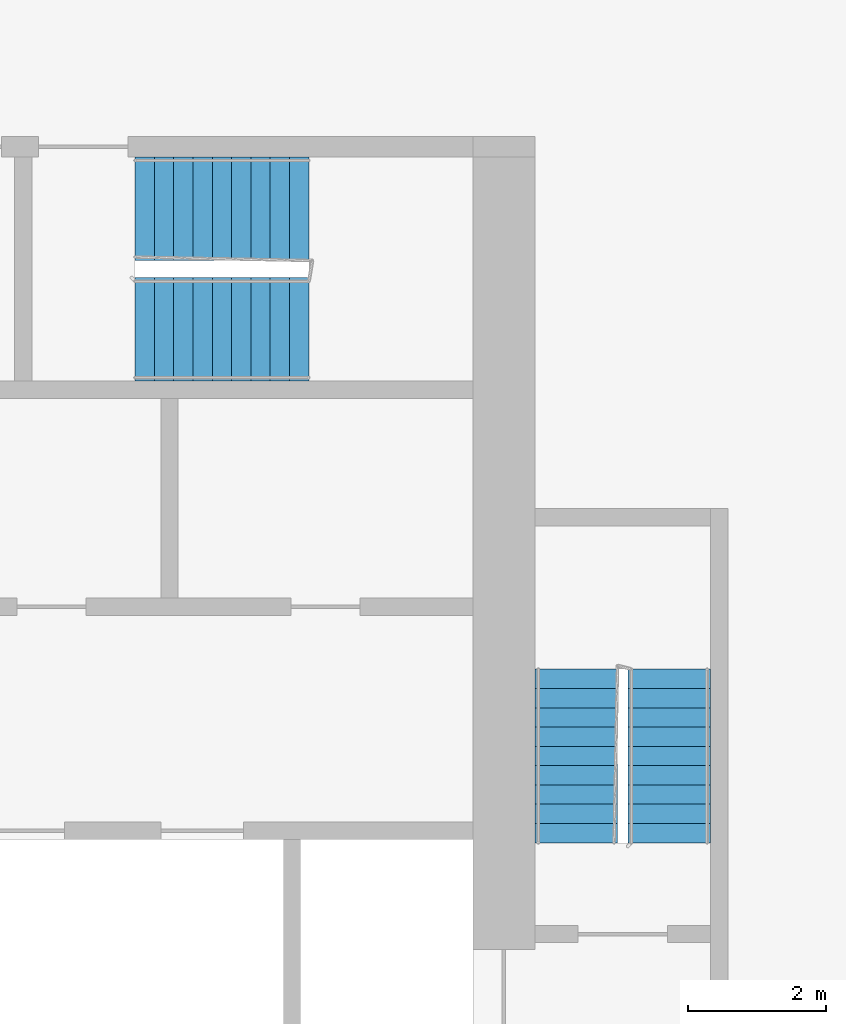
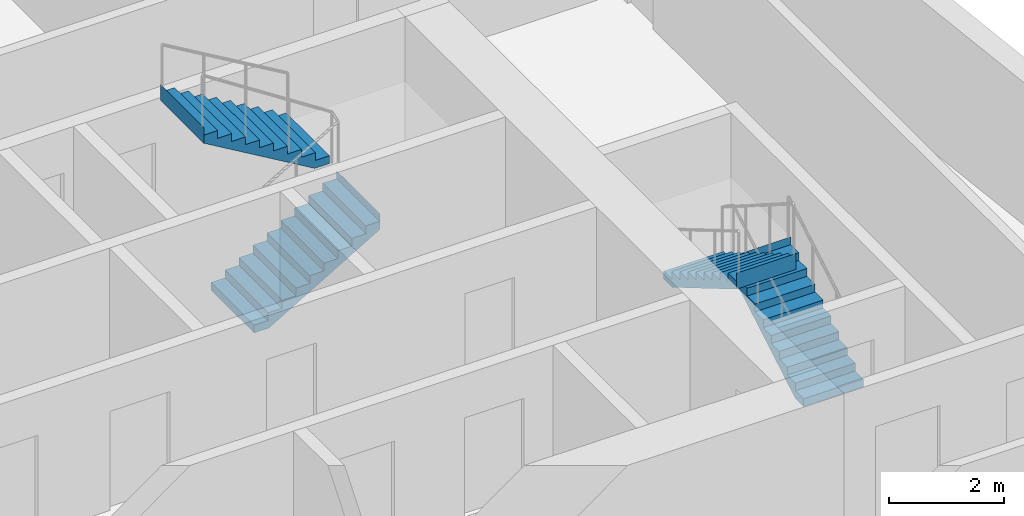
# One storey, part 11 of 12: 4 stair flights, 2 elements without a shape of their own.
"""IFC4 building model written with IfcOpenShell, lengths in metres."""

from ifc_helpers import new_model, si_unit, direction, frame, origin, place, context, subcontext, project, spatial, faceted_brep, material, type_object, element, aggregate, save


model = new_model("IFC4")

# Units and contexts
model_context = context("Model", 3, precision=1e-05, world=origin(), true_north=direction((0.0, 1.0)))
body_context = subcontext(model_context, "Body", "Model", "MODEL_VIEW")
ifc_project = project(units=[si_unit("LENGTHUNIT", "METRE"), si_unit("AREAUNIT", "SQUARE_METRE"), si_unit("VOLUMEUNIT", "CUBIC_METRE"), si_unit("PLANEANGLEUNIT", "RADIAN"), si_unit("MASSUNIT", "GRAM", prefix="KILO")], contexts=[model_context])

# Site, building, storey
site_placement = place(None, origin())
site = spatial("IfcSite", under=ifc_project, at=site_placement, CompositionType="ELEMENT")
building_placement = place(site_placement, origin())
building = spatial("IfcBuilding", under=site, at=building_placement, Name="Kajstack Hotel Tower", CompositionType="ELEMENT")
storey_placement = place(building_placement, frame((0.0, 0.0, 170.199951171875)))
storey = spatial("IfcBuildingStorey", under=building, at=storey_placement, Name="L39", CompositionType="ELEMENT", Elevation=170.199951171875)

# Stair, stair flights
ifc_material = material(Name="Concrete C40/50", Category="concrete")
stair_type_1 = type_object("IfcStairType", Name="Exit stair 1200", PredefinedType="HALF_TURN_STAIR", material=ifc_material)
stair_1_placement = place(storey_placement, origin())
stair_1 = element("IfcStair", 1, at=stair_1_placement, inside=storey, type_object=stair_type_1, Name="L39 stair E1", PredefinedType="HALF_TURN_STAIR")
stair_flight_type_1 = type_object("IfcStairFlightType", Name="Exit stair flight 1200", PredefinedType="STRAIGHT", material=ifc_material)
stair_flight_1_placement = place(storey_placement, frame((33.449951171875, 5.25, 0.0), z_axis=(0.0, 0.0, 1.0), x_axis=(0.0, 1.0, 0.0)))
stair_flight_1 = element("IfcStairFlight", 2, at=stair_flight_1_placement, type_object=stair_flight_type_1, Name="E1 flight 1", NumberOfRisers=10, NumberOfTreads=9, PredefinedType="STRAIGHT", RiserHeight=0.165, TreadLength=0.28, context=body_context, shape_type="Brep", body=[
    faceted_brep([(0.295654296875, -0.60009765625, 0.0), (2.5205078125, -0.60009765625, 1.31103515625), (2.5205078125, -0.60009765625, 1.64990234375), (2.52001953125, -0.60009765625, 1.64990234375), (2.52001953125, -0.60009765625, 1.485107421875), (2.239990234375, -0.60009765625, 1.485107421875), (2.239990234375, -0.60009765625, 1.320068359375), (1.9599609375, -0.60009765625, 1.320068359375), (1.9599609375, -0.60009765625, 1.155029296875), (1.679931640625, -0.60009765625, 1.155029296875), (1.679931640625, -0.60009765625, 0.989990234375), (1.39990234375, -0.60009765625, 0.989990234375), (1.39990234375, -0.60009765625, 0.824951171875), (1.1201171875, -0.60009765625, 0.824951171875), (1.1201171875, -0.60009765625, 0.659912109375), (0.840087890625, -0.60009765625, 0.659912109375), (0.840087890625, -0.60009765625, 0.4951171875), (0.56005859375, -0.60009765625, 0.4951171875), (0.56005859375, -0.60009765625, 0.330078125), (0.280029296875, -0.60009765625, 0.330078125), (0.280029296875, -0.60009765625, 0.1650390625), (-0.00048828125, -0.60009765625, 0.1650390625), (-0.00048828125, -0.60009765625, 0.0), (-0.00048828125, 0.60009765625, 0.0), (-0.00048828125, 0.60009765625, 0.1650390625), (0.280029296875, 0.60009765625, 0.1650390625), (0.280029296875, 0.60009765625, 0.330078125), (0.56005859375, 0.60009765625, 0.330078125), (0.56005859375, 0.60009765625, 0.4951171875), (0.840087890625, 0.60009765625, 0.4951171875), (0.840087890625, 0.60009765625, 0.659912109375), (1.1201171875, 0.60009765625, 0.659912109375), (1.1201171875, 0.60009765625, 0.824951171875), (1.39990234375, 0.60009765625, 0.824951171875), (1.39990234375, 0.60009765625, 0.989990234375), (1.679931640625, 0.60009765625, 0.989990234375), (1.679931640625, 0.60009765625, 1.155029296875), (1.9599609375, 0.60009765625, 1.155029296875), (1.9599609375, 0.60009765625, 1.320068359375), (2.239990234375, 0.60009765625, 1.320068359375), (2.239990234375, 0.60009765625, 1.485107421875), (2.52001953125, 0.60009765625, 1.485107421875), (2.52001953125, 0.60009765625, 1.64990234375), (2.5205078125, 0.60009765625, 1.64990234375), (2.5205078125, 0.60009765625, 1.31103515625), (0.295654296875, 0.60009765625, 0.0), (-0.00048828125, -0.300048828125, 0.1650390625), (-0.00048828125, 0.0, 0.1650390625), (-0.00048828125, 0.300048828125, 0.1650390625), (-0.00048828125, 0.300048828125, 0.0), (-0.00048828125, 0.0, 0.0), (-0.00048828125, -0.300048828125, 0.0), (0.280029296875, -0.300048828125, 0.1650390625), (0.280029296875, 0.0, 0.1650390625), (0.280029296875, 0.300048828125, 0.1650390625), (0.280029296875, -0.300048828125, 0.330078125), (0.280029296875, 0.0, 0.330078125), (0.280029296875, 0.300048828125, 0.330078125), (0.56005859375, -0.300048828125, 0.330078125), (0.56005859375, 0.0, 0.330078125), (0.56005859375, 0.300048828125, 0.330078125), (0.56005859375, -0.300048828125, 0.4951171875), (0.56005859375, 0.0, 0.4951171875), (0.56005859375, 0.300048828125, 0.4951171875), (0.840087890625, -0.300048828125, 0.4951171875), (0.840087890625, 0.0, 0.4951171875), (0.840087890625, 0.300048828125, 0.4951171875), (0.840087890625, -0.300048828125, 0.659912109375), (0.840087890625, 0.0, 0.659912109375), (0.840087890625, 0.300048828125, 0.659912109375), (1.1201171875, -0.300048828125, 0.659912109375), (1.1201171875, 0.0, 0.659912109375), (1.1201171875, 0.300048828125, 0.659912109375), (1.1201171875, -0.300048828125, 0.824951171875), (1.1201171875, 0.0, 0.824951171875), (1.1201171875, 0.300048828125, 0.824951171875), (1.39990234375, -0.300048828125, 0.824951171875), (1.39990234375, 0.0, 0.824951171875), (1.39990234375, 0.300048828125, 0.824951171875), (1.39990234375, -0.300048828125, 0.989990234375), (1.39990234375, 0.0, 0.989990234375), (1.39990234375, 0.300048828125, 0.989990234375), (1.679931640625, -0.300048828125, 0.989990234375), (1.679931640625, 0.0, 0.989990234375), (1.679931640625, 0.300048828125, 0.989990234375), (1.679931640625, -0.300048828125, 1.155029296875), (1.679931640625, 0.0, 1.155029296875), (1.679931640625, 0.300048828125, 1.155029296875), (1.9599609375, -0.300048828125, 1.155029296875), (1.9599609375, 0.0, 1.155029296875), (1.9599609375, 0.300048828125, 1.155029296875), (1.9599609375, -0.300048828125, 1.320068359375), (1.9599609375, 0.0, 1.320068359375), (1.9599609375, 0.300048828125, 1.320068359375), (2.239990234375, -0.300048828125, 1.320068359375), (2.239990234375, 0.0, 1.320068359375), (2.239990234375, 0.300048828125, 1.320068359375), (2.239990234375, -0.300048828125, 1.485107421875), (2.239990234375, 0.0, 1.485107421875), (2.239990234375, 0.300048828125, 1.485107421875), (2.52001953125, -0.300048828125, 1.485107421875), (2.52001953125, 0.0, 1.485107421875), (2.52001953125, 0.300048828125, 1.485107421875), (2.52001953125, -0.300048828125, 1.64990234375), (2.52001953125, 0.0, 1.64990234375), (2.52001953125, 0.300048828125, 1.64990234375), (2.5205078125, -0.300048828125, 1.64990234375), (2.5205078125, 0.0, 1.64990234375), (2.5205078125, 0.300048828125, 1.64990234375), (2.5205078125, -0.300048828125, 1.31103515625), (2.5205078125, 0.0, 1.31103515625), (2.5205078125, 0.300048828125, 1.31103515625), (0.295654296875, -0.300048828125, 0.0), (0.295654296875, 0.0, 0.0), (0.295654296875, 0.300048828125, 0.0)], [[[0, 1, 2, 3, 4, 5, 6, 7, 8, 9, 10, 11, 12, 13, 14, 15, 16, 17, 18, 19, 20, 21, 22]], [[23, 24, 25, 26, 27, 28, 29, 30, 31, 32, 33, 34, 35, 36, 37, 38, 39, 40, 41, 42, 43, 44, 45]], [[21, 46, 47, 48, 24, 23, 49, 50, 51, 22]], [[20, 52, 53, 54, 25, 24, 48, 47, 46, 21]], [[19, 55, 56, 57, 26, 25, 54, 53, 52, 20]], [[18, 58, 59, 60, 27, 26, 57, 56, 55, 19]], [[17, 61, 62, 63, 28, 27, 60, 59, 58, 18]], [[16, 64, 65, 66, 29, 28, 63, 62, 61, 17]], [[15, 67, 68, 69, 30, 29, 66, 65, 64, 16]], [[14, 70, 71, 72, 31, 30, 69, 68, 67, 15]], [[13, 73, 74, 75, 32, 31, 72, 71, 70, 14]], [[12, 76, 77, 78, 33, 32, 75, 74, 73, 13]], [[11, 79, 80, 81, 34, 33, 78, 77, 76, 12]], [[10, 82, 83, 84, 35, 34, 81, 80, 79, 11]], [[9, 85, 86, 87, 36, 35, 84, 83, 82, 10]], [[8, 88, 89, 90, 37, 36, 87, 86, 85, 9]], [[7, 91, 92, 93, 38, 37, 90, 89, 88, 8]], [[6, 94, 95, 96, 39, 38, 93, 92, 91, 7]], [[5, 97, 98, 99, 40, 39, 96, 95, 94, 6]], [[4, 100, 101, 102, 41, 40, 99, 98, 97, 5]], [[3, 103, 104, 105, 42, 41, 102, 101, 100, 4]], [[2, 106, 107, 108, 43, 42, 105, 104, 103, 3]], [[1, 109, 110, 111, 44, 43, 108, 107, 106, 2]], [[0, 112, 113, 114, 45, 44, 111, 110, 109, 1]], [[22, 51, 50, 49, 23, 45, 114, 113, 112, 0]]]),
])
stair_flight_2_placement = place(storey_placement, frame((32.10009765625, 7.77001953125, 1.650146484375), z_axis=(0.0, 0.0, 1.0), x_axis=(0.0, -1.0, 0.0)))
stair_flight_2 = element("IfcStairFlight", 3, at=stair_flight_2_placement, type_object=stair_flight_type_1, Name="E1 flight 2", NumberOfRisers=10, NumberOfTreads=9, PredefinedType="STRAIGHT", RiserHeight=0.165, TreadLength=0.28, context=body_context, shape_type="Brep", body=[
    faceted_brep([(0.295654296875, -0.60009765625, 0.0), (2.5205078125, -0.60009765625, 1.31103515625), (2.5205078125, -0.60009765625, 1.64990234375), (2.52001953125, -0.60009765625, 1.64990234375), (2.52001953125, -0.60009765625, 1.485107421875), (2.239990234375, -0.60009765625, 1.485107421875), (2.239990234375, -0.60009765625, 1.320068359375), (1.9599609375, -0.60009765625, 1.320068359375), (1.9599609375, -0.60009765625, 1.155029296875), (1.679931640625, -0.60009765625, 1.155029296875), (1.679931640625, -0.60009765625, 0.989990234375), (1.39990234375, -0.60009765625, 0.989990234375), (1.39990234375, -0.60009765625, 0.824951171875), (1.1201171875, -0.60009765625, 0.824951171875), (1.1201171875, -0.60009765625, 0.659912109375), (0.840087890625, -0.60009765625, 0.659912109375), (0.840087890625, -0.60009765625, 0.4951171875), (0.56005859375, -0.60009765625, 0.4951171875), (0.56005859375, -0.60009765625, 0.330078125), (0.280029296875, -0.60009765625, 0.330078125), (0.280029296875, -0.60009765625, 0.1650390625), (-0.00048828125, -0.60009765625, 0.1650390625), (-0.00048828125, -0.60009765625, 0.0), (-0.00048828125, 0.60009765625, 0.0), (-0.00048828125, 0.60009765625, 0.1650390625), (0.280029296875, 0.60009765625, 0.1650390625), (0.280029296875, 0.60009765625, 0.330078125), (0.56005859375, 0.60009765625, 0.330078125), (0.56005859375, 0.60009765625, 0.4951171875), (0.840087890625, 0.60009765625, 0.4951171875), (0.840087890625, 0.60009765625, 0.659912109375), (1.1201171875, 0.60009765625, 0.659912109375), (1.1201171875, 0.60009765625, 0.824951171875), (1.39990234375, 0.60009765625, 0.824951171875), (1.39990234375, 0.60009765625, 0.989990234375), (1.679931640625, 0.60009765625, 0.989990234375), (1.679931640625, 0.60009765625, 1.155029296875), (1.9599609375, 0.60009765625, 1.155029296875), (1.9599609375, 0.60009765625, 1.320068359375), (2.239990234375, 0.60009765625, 1.320068359375), (2.239990234375, 0.60009765625, 1.485107421875), (2.52001953125, 0.60009765625, 1.485107421875), (2.52001953125, 0.60009765625, 1.64990234375), (2.5205078125, 0.60009765625, 1.64990234375), (2.5205078125, 0.60009765625, 1.31103515625), (0.295654296875, 0.60009765625, 0.0), (-0.00048828125, -0.300048828125, 0.1650390625), (-0.00048828125, 0.0, 0.1650390625), (-0.00048828125, 0.300048828125, 0.1650390625), (-0.00048828125, 0.300048828125, 0.0), (-0.00048828125, 0.0, 0.0), (-0.00048828125, -0.300048828125, 0.0), (0.280029296875, -0.300048828125, 0.1650390625), (0.280029296875, 0.0, 0.1650390625), (0.280029296875, 0.300048828125, 0.1650390625), (0.280029296875, -0.300048828125, 0.330078125), (0.280029296875, 0.0, 0.330078125), (0.280029296875, 0.300048828125, 0.330078125), (0.56005859375, -0.300048828125, 0.330078125), (0.56005859375, 0.0, 0.330078125), (0.56005859375, 0.300048828125, 0.330078125), (0.56005859375, -0.300048828125, 0.4951171875), (0.56005859375, 0.0, 0.4951171875), (0.56005859375, 0.300048828125, 0.4951171875), (0.840087890625, -0.300048828125, 0.4951171875), (0.840087890625, 0.0, 0.4951171875), (0.840087890625, 0.300048828125, 0.4951171875), (0.840087890625, -0.300048828125, 0.659912109375), (0.840087890625, 0.0, 0.659912109375), (0.840087890625, 0.300048828125, 0.659912109375), (1.1201171875, -0.300048828125, 0.659912109375), (1.1201171875, 0.0, 0.659912109375), (1.1201171875, 0.300048828125, 0.659912109375), (1.1201171875, -0.300048828125, 0.824951171875), (1.1201171875, 0.0, 0.824951171875), (1.1201171875, 0.300048828125, 0.824951171875), (1.39990234375, -0.300048828125, 0.824951171875), (1.39990234375, 0.0, 0.824951171875), (1.39990234375, 0.300048828125, 0.824951171875), (1.39990234375, -0.300048828125, 0.989990234375), (1.39990234375, 0.0, 0.989990234375), (1.39990234375, 0.300048828125, 0.989990234375), (1.679931640625, -0.300048828125, 0.989990234375), (1.679931640625, 0.0, 0.989990234375), (1.679931640625, 0.300048828125, 0.989990234375), (1.679931640625, -0.300048828125, 1.155029296875), (1.679931640625, 0.0, 1.155029296875), (1.679931640625, 0.300048828125, 1.155029296875), (1.9599609375, -0.300048828125, 1.155029296875), (1.9599609375, 0.0, 1.155029296875), (1.9599609375, 0.300048828125, 1.155029296875), (1.9599609375, -0.300048828125, 1.320068359375), (1.9599609375, 0.0, 1.320068359375), (1.9599609375, 0.300048828125, 1.320068359375), (2.239990234375, -0.300048828125, 1.320068359375), (2.239990234375, 0.0, 1.320068359375), (2.239990234375, 0.300048828125, 1.320068359375), (2.239990234375, -0.300048828125, 1.485107421875), (2.239990234375, 0.0, 1.485107421875), (2.239990234375, 0.300048828125, 1.485107421875), (2.52001953125, -0.300048828125, 1.485107421875), (2.52001953125, 0.0, 1.485107421875), (2.52001953125, 0.300048828125, 1.485107421875), (2.52001953125, -0.300048828125, 1.64990234375), (2.52001953125, 0.0, 1.64990234375), (2.52001953125, 0.300048828125, 1.64990234375), (2.5205078125, -0.300048828125, 1.64990234375), (2.5205078125, 0.0, 1.64990234375), (2.5205078125, 0.300048828125, 1.64990234375), (2.5205078125, -0.300048828125, 1.31103515625), (2.5205078125, 0.0, 1.31103515625), (2.5205078125, 0.300048828125, 1.31103515625), (0.295654296875, -0.300048828125, 0.0), (0.295654296875, 0.0, 0.0), (0.295654296875, 0.300048828125, 0.0)], [[[0, 1, 2, 3, 4, 5, 6, 7, 8, 9, 10, 11, 12, 13, 14, 15, 16, 17, 18, 19, 20, 21, 22]], [[23, 24, 25, 26, 27, 28, 29, 30, 31, 32, 33, 34, 35, 36, 37, 38, 39, 40, 41, 42, 43, 44, 45]], [[21, 46, 47, 48, 24, 23, 49, 50, 51, 22]], [[20, 52, 53, 54, 25, 24, 48, 47, 46, 21]], [[19, 55, 56, 57, 26, 25, 54, 53, 52, 20]], [[18, 58, 59, 60, 27, 26, 57, 56, 55, 19]], [[17, 61, 62, 63, 28, 27, 60, 59, 58, 18]], [[16, 64, 65, 66, 29, 28, 63, 62, 61, 17]], [[15, 67, 68, 69, 30, 29, 66, 65, 64, 16]], [[14, 70, 71, 72, 31, 30, 69, 68, 67, 15]], [[13, 73, 74, 75, 32, 31, 72, 71, 70, 14]], [[12, 76, 77, 78, 33, 32, 75, 74, 73, 13]], [[11, 79, 80, 81, 34, 33, 78, 77, 76, 12]], [[10, 82, 83, 84, 35, 34, 81, 80, 79, 11]], [[9, 85, 86, 87, 36, 35, 84, 83, 82, 10]], [[8, 88, 89, 90, 37, 36, 87, 86, 85, 9]], [[7, 91, 92, 93, 38, 37, 90, 89, 88, 8]], [[6, 94, 95, 96, 39, 38, 93, 92, 91, 7]], [[5, 97, 98, 99, 40, 39, 96, 95, 94, 6]], [[4, 100, 101, 102, 41, 40, 99, 98, 97, 5]], [[3, 103, 104, 105, 42, 41, 102, 101, 100, 4]], [[2, 106, 107, 108, 43, 42, 105, 104, 103, 3]], [[1, 109, 110, 111, 44, 43, 108, 107, 106, 2]], [[0, 112, 113, 114, 45, 44, 111, 110, 109, 1]], [[22, 51, 50, 49, 23, 45, 114, 113, 112, 0]]]),
])
aggregate(stair_1, [stair_flight_1, stair_flight_2])

stair_type_2 = type_object("IfcStairType", Name="Exit stair 1500", PredefinedType="HALF_TURN_STAIR", material=ifc_material)
stair_2_placement = place(storey_placement, origin())
stair_2 = element("IfcStair", 4, at=stair_2_placement, inside=storey, type_object=stair_type_2, Name="L39 stair E3", PredefinedType="HALF_TURN_STAIR")
stair_flight_type_2 = type_object("IfcStairFlightType", Name="Exit stair flight 1500", PredefinedType="STRAIGHT", material=ifc_material)
stair_flight_3_placement = place(storey_placement, frame((25.699951171875, 12.699951171875, 0.0), z_axis=(0.0, 0.0, 1.0), x_axis=(1.0, 0.0, 0.0)))
stair_flight_3 = element("IfcStairFlight", 5, at=stair_flight_3_placement, type_object=stair_flight_type_2, Name="E3 flight 1", NumberOfRisers=10, NumberOfTreads=9, PredefinedType="STRAIGHT", RiserHeight=0.165, TreadLength=0.28, context=body_context, shape_type="Brep", body=[
    faceted_brep([(0.295654296875, -0.75, 0.0), (2.5205078125, -0.75, 1.31103515625), (2.5205078125, -0.75, 1.64990234375), (2.52001953125, -0.75, 1.64990234375), (2.52001953125, -0.75, 1.485107421875), (2.239990234375, -0.75, 1.485107421875), (2.239990234375, -0.75, 1.320068359375), (1.9599609375, -0.75, 1.320068359375), (1.9599609375, -0.75, 1.155029296875), (1.679931640625, -0.75, 1.155029296875), (1.679931640625, -0.75, 0.989990234375), (1.39990234375, -0.75, 0.989990234375), (1.39990234375, -0.75, 0.824951171875), (1.1201171875, -0.75, 0.824951171875), (1.1201171875, -0.75, 0.659912109375), (0.840087890625, -0.75, 0.659912109375), (0.840087890625, -0.75, 0.4951171875), (0.56005859375, -0.75, 0.4951171875), (0.56005859375, -0.75, 0.330078125), (0.280029296875, -0.75, 0.330078125), (0.280029296875, -0.75, 0.1650390625), (-0.00048828125, -0.75, 0.1650390625), (-0.00048828125, -0.75, 0.0), (-0.00048828125, 0.75, 0.0), (-0.00048828125, 0.75, 0.1650390625), (0.280029296875, 0.75, 0.1650390625), (0.280029296875, 0.75, 0.330078125), (0.56005859375, 0.75, 0.330078125), (0.56005859375, 0.75, 0.4951171875), (0.840087890625, 0.75, 0.4951171875), (0.840087890625, 0.75, 0.659912109375), (1.1201171875, 0.75, 0.659912109375), (1.1201171875, 0.75, 0.824951171875), (1.39990234375, 0.75, 0.824951171875), (1.39990234375, 0.75, 0.989990234375), (1.679931640625, 0.75, 0.989990234375), (1.679931640625, 0.75, 1.155029296875), (1.9599609375, 0.75, 1.155029296875), (1.9599609375, 0.75, 1.320068359375), (2.239990234375, 0.75, 1.320068359375), (2.239990234375, 0.75, 1.485107421875), (2.52001953125, 0.75, 1.485107421875), (2.52001953125, 0.75, 1.64990234375), (2.5205078125, 0.75, 1.64990234375), (2.5205078125, 0.75, 1.31103515625), (0.295654296875, 0.75, 0.0), (-0.00048828125, -0.375, 0.1650390625), (-0.00048828125, 0.0, 0.1650390625), (-0.00048828125, 0.375, 0.1650390625), (-0.00048828125, 0.375, 0.0), (-0.00048828125, 0.0, 0.0), (-0.00048828125, -0.375, 0.0), (0.280029296875, -0.375, 0.1650390625), (0.280029296875, 0.0, 0.1650390625), (0.280029296875, 0.375, 0.1650390625), (0.280029296875, -0.375, 0.330078125), (0.280029296875, 0.0, 0.330078125), (0.280029296875, 0.375, 0.330078125), (0.56005859375, -0.375, 0.330078125), (0.56005859375, 0.0, 0.330078125), (0.56005859375, 0.375, 0.330078125), (0.56005859375, -0.375, 0.4951171875), (0.56005859375, 0.0, 0.4951171875), (0.56005859375, 0.375, 0.4951171875), (0.840087890625, -0.375, 0.4951171875), (0.840087890625, 0.0, 0.4951171875), (0.840087890625, 0.375, 0.4951171875), (0.840087890625, -0.375, 0.659912109375), (0.840087890625, 0.0, 0.659912109375), (0.840087890625, 0.375, 0.659912109375), (1.1201171875, -0.375, 0.659912109375), (1.1201171875, 0.0, 0.659912109375), (1.1201171875, 0.375, 0.659912109375), (1.1201171875, -0.375, 0.824951171875), (1.1201171875, 0.0, 0.824951171875), (1.1201171875, 0.375, 0.824951171875), (1.39990234375, -0.375, 0.824951171875), (1.39990234375, 0.0, 0.824951171875), (1.39990234375, 0.375, 0.824951171875), (1.39990234375, -0.375, 0.989990234375), (1.39990234375, 0.0, 0.989990234375), (1.39990234375, 0.375, 0.989990234375), (1.679931640625, -0.375, 0.989990234375), (1.679931640625, 0.0, 0.989990234375), (1.679931640625, 0.375, 0.989990234375), (1.679931640625, -0.375, 1.155029296875), (1.679931640625, 0.0, 1.155029296875), (1.679931640625, 0.375, 1.155029296875), (1.9599609375, -0.375, 1.155029296875), (1.9599609375, 0.0, 1.155029296875), (1.9599609375, 0.375, 1.155029296875), (1.9599609375, -0.375, 1.320068359375), (1.9599609375, 0.0, 1.320068359375), (1.9599609375, 0.375, 1.320068359375), (2.239990234375, -0.375, 1.320068359375), (2.239990234375, 0.0, 1.320068359375), (2.239990234375, 0.375, 1.320068359375), (2.239990234375, -0.375, 1.485107421875), (2.239990234375, 0.0, 1.485107421875), (2.239990234375, 0.375, 1.485107421875), (2.52001953125, -0.375, 1.485107421875), (2.52001953125, 0.0, 1.485107421875), (2.52001953125, 0.375, 1.485107421875), (2.52001953125, -0.375, 1.64990234375), (2.52001953125, 0.0, 1.64990234375), (2.52001953125, 0.375, 1.64990234375), (2.5205078125, -0.375, 1.64990234375), (2.5205078125, 0.0, 1.64990234375), (2.5205078125, 0.375, 1.64990234375), (2.5205078125, -0.375, 1.31103515625), (2.5205078125, 0.0, 1.31103515625), (2.5205078125, 0.375, 1.31103515625), (0.295654296875, -0.375, 0.0), (0.295654296875, 0.0, 0.0), (0.295654296875, 0.375, 0.0)], [[[0, 1, 2, 3, 4, 5, 6, 7, 8, 9, 10, 11, 12, 13, 14, 15, 16, 17, 18, 19, 20, 21, 22]], [[23, 24, 25, 26, 27, 28, 29, 30, 31, 32, 33, 34, 35, 36, 37, 38, 39, 40, 41, 42, 43, 44, 45]], [[21, 46, 47, 48, 24, 23, 49, 50, 51, 22]], [[20, 52, 53, 54, 25, 24, 48, 47, 46, 21]], [[19, 55, 56, 57, 26, 25, 54, 53, 52, 20]], [[18, 58, 59, 60, 27, 26, 57, 56, 55, 19]], [[17, 61, 62, 63, 28, 27, 60, 59, 58, 18]], [[16, 64, 65, 66, 29, 28, 63, 62, 61, 17]], [[15, 67, 68, 69, 30, 29, 66, 65, 64, 16]], [[14, 70, 71, 72, 31, 30, 69, 68, 67, 15]], [[13, 73, 74, 75, 32, 31, 72, 71, 70, 14]], [[12, 76, 77, 78, 33, 32, 75, 74, 73, 13]], [[11, 79, 80, 81, 34, 33, 78, 77, 76, 12]], [[10, 82, 83, 84, 35, 34, 81, 80, 79, 11]], [[9, 85, 86, 87, 36, 35, 84, 83, 82, 10]], [[8, 88, 89, 90, 37, 36, 87, 86, 85, 9]], [[7, 91, 92, 93, 38, 37, 90, 89, 88, 8]], [[6, 94, 95, 96, 39, 38, 93, 92, 91, 7]], [[5, 97, 98, 99, 40, 39, 96, 95, 94, 6]], [[4, 100, 101, 102, 41, 40, 99, 98, 97, 5]], [[3, 103, 104, 105, 42, 41, 102, 101, 100, 4]], [[2, 106, 107, 108, 43, 42, 105, 104, 103, 3]], [[1, 109, 110, 111, 44, 43, 108, 107, 106, 2]], [[0, 112, 113, 114, 45, 44, 111, 110, 109, 1]], [[22, 51, 50, 49, 23, 45, 114, 113, 112, 0]]]),
])
stair_flight_4_placement = place(storey_placement, frame((28.219970703125, 14.449951171875, 1.650146484375), z_axis=(0.0, 0.0, 1.0), x_axis=(-1.0, 0.0, 0.0)))
stair_flight_4 = element("IfcStairFlight", 6, at=stair_flight_4_placement, type_object=stair_flight_type_2, Name="E3 flight 2", NumberOfRisers=10, NumberOfTreads=9, PredefinedType="STRAIGHT", RiserHeight=0.165, TreadLength=0.28, context=body_context, shape_type="Brep", body=[
    faceted_brep([(0.295654296875, -0.75, 0.0), (2.5205078125, -0.75, 1.31103515625), (2.5205078125, -0.75, 1.64990234375), (2.52001953125, -0.75, 1.64990234375), (2.52001953125, -0.75, 1.485107421875), (2.239990234375, -0.75, 1.485107421875), (2.239990234375, -0.75, 1.320068359375), (1.9599609375, -0.75, 1.320068359375), (1.9599609375, -0.75, 1.155029296875), (1.679931640625, -0.75, 1.155029296875), (1.679931640625, -0.75, 0.989990234375), (1.39990234375, -0.75, 0.989990234375), (1.39990234375, -0.75, 0.824951171875), (1.1201171875, -0.75, 0.824951171875), (1.1201171875, -0.75, 0.659912109375), (0.840087890625, -0.75, 0.659912109375), (0.840087890625, -0.75, 0.4951171875), (0.56005859375, -0.75, 0.4951171875), (0.56005859375, -0.75, 0.330078125), (0.280029296875, -0.75, 0.330078125), (0.280029296875, -0.75, 0.1650390625), (-0.00048828125, -0.75, 0.1650390625), (-0.00048828125, -0.75, 0.0), (-0.00048828125, 0.75, 0.0), (-0.00048828125, 0.75, 0.1650390625), (0.280029296875, 0.75, 0.1650390625), (0.280029296875, 0.75, 0.330078125), (0.56005859375, 0.75, 0.330078125), (0.56005859375, 0.75, 0.4951171875), (0.840087890625, 0.75, 0.4951171875), (0.840087890625, 0.75, 0.659912109375), (1.1201171875, 0.75, 0.659912109375), (1.1201171875, 0.75, 0.824951171875), (1.39990234375, 0.75, 0.824951171875), (1.39990234375, 0.75, 0.989990234375), (1.679931640625, 0.75, 0.989990234375), (1.679931640625, 0.75, 1.155029296875), (1.9599609375, 0.75, 1.155029296875), (1.9599609375, 0.75, 1.320068359375), (2.239990234375, 0.75, 1.320068359375), (2.239990234375, 0.75, 1.485107421875), (2.52001953125, 0.75, 1.485107421875), (2.52001953125, 0.75, 1.64990234375), (2.5205078125, 0.75, 1.64990234375), (2.5205078125, 0.75, 1.31103515625), (0.295654296875, 0.75, 0.0), (-0.00048828125, -0.375, 0.1650390625), (-0.00048828125, 0.0, 0.1650390625), (-0.00048828125, 0.375, 0.1650390625), (-0.00048828125, 0.375, 0.0), (-0.00048828125, 0.0, 0.0), (-0.00048828125, -0.375, 0.0), (0.280029296875, -0.375, 0.1650390625), (0.280029296875, 0.0, 0.1650390625), (0.280029296875, 0.375, 0.1650390625), (0.280029296875, -0.375, 0.330078125), (0.280029296875, 0.0, 0.330078125), (0.280029296875, 0.375, 0.330078125), (0.56005859375, -0.375, 0.330078125), (0.56005859375, 0.0, 0.330078125), (0.56005859375, 0.375, 0.330078125), (0.56005859375, -0.375, 0.4951171875), (0.56005859375, 0.0, 0.4951171875), (0.56005859375, 0.375, 0.4951171875), (0.840087890625, -0.375, 0.4951171875), (0.840087890625, 0.0, 0.4951171875), (0.840087890625, 0.375, 0.4951171875), (0.840087890625, -0.375, 0.659912109375), (0.840087890625, 0.0, 0.659912109375), (0.840087890625, 0.375, 0.659912109375), (1.1201171875, -0.375, 0.659912109375), (1.1201171875, 0.0, 0.659912109375), (1.1201171875, 0.375, 0.659912109375), (1.1201171875, -0.375, 0.824951171875), (1.1201171875, 0.0, 0.824951171875), (1.1201171875, 0.375, 0.824951171875), (1.39990234375, -0.375, 0.824951171875), (1.39990234375, 0.0, 0.824951171875), (1.39990234375, 0.375, 0.824951171875), (1.39990234375, -0.375, 0.989990234375), (1.39990234375, 0.0, 0.989990234375), (1.39990234375, 0.375, 0.989990234375), (1.679931640625, -0.375, 0.989990234375), (1.679931640625, 0.0, 0.989990234375), (1.679931640625, 0.375, 0.989990234375), (1.679931640625, -0.375, 1.155029296875), (1.679931640625, 0.0, 1.155029296875), (1.679931640625, 0.375, 1.155029296875), (1.9599609375, -0.375, 1.155029296875), (1.9599609375, 0.0, 1.155029296875), (1.9599609375, 0.375, 1.155029296875), (1.9599609375, -0.375, 1.320068359375), (1.9599609375, 0.0, 1.320068359375), (1.9599609375, 0.375, 1.320068359375), (2.239990234375, -0.375, 1.320068359375), (2.239990234375, 0.0, 1.320068359375), (2.239990234375, 0.375, 1.320068359375), (2.239990234375, -0.375, 1.485107421875), (2.239990234375, 0.0, 1.485107421875), (2.239990234375, 0.375, 1.485107421875), (2.52001953125, -0.375, 1.485107421875), (2.52001953125, 0.0, 1.485107421875), (2.52001953125, 0.375, 1.485107421875), (2.52001953125, -0.375, 1.64990234375), (2.52001953125, 0.0, 1.64990234375), (2.52001953125, 0.375, 1.64990234375), (2.5205078125, -0.375, 1.64990234375), (2.5205078125, 0.0, 1.64990234375), (2.5205078125, 0.375, 1.64990234375), (2.5205078125, -0.375, 1.31103515625), (2.5205078125, 0.0, 1.31103515625), (2.5205078125, 0.375, 1.31103515625), (0.295654296875, -0.375, 0.0), (0.295654296875, 0.0, 0.0), (0.295654296875, 0.375, 0.0)], [[[0, 1, 2, 3, 4, 5, 6, 7, 8, 9, 10, 11, 12, 13, 14, 15, 16, 17, 18, 19, 20, 21, 22]], [[23, 24, 25, 26, 27, 28, 29, 30, 31, 32, 33, 34, 35, 36, 37, 38, 39, 40, 41, 42, 43, 44, 45]], [[21, 46, 47, 48, 24, 23, 49, 50, 51, 22]], [[20, 52, 53, 54, 25, 24, 48, 47, 46, 21]], [[19, 55, 56, 57, 26, 25, 54, 53, 52, 20]], [[18, 58, 59, 60, 27, 26, 57, 56, 55, 19]], [[17, 61, 62, 63, 28, 27, 60, 59, 58, 18]], [[16, 64, 65, 66, 29, 28, 63, 62, 61, 17]], [[15, 67, 68, 69, 30, 29, 66, 65, 64, 16]], [[14, 70, 71, 72, 31, 30, 69, 68, 67, 15]], [[13, 73, 74, 75, 32, 31, 72, 71, 70, 14]], [[12, 76, 77, 78, 33, 32, 75, 74, 73, 13]], [[11, 79, 80, 81, 34, 33, 78, 77, 76, 12]], [[10, 82, 83, 84, 35, 34, 81, 80, 79, 11]], [[9, 85, 86, 87, 36, 35, 84, 83, 82, 10]], [[8, 88, 89, 90, 37, 36, 87, 86, 85, 9]], [[7, 91, 92, 93, 38, 37, 90, 89, 88, 8]], [[6, 94, 95, 96, 39, 38, 93, 92, 91, 7]], [[5, 97, 98, 99, 40, 39, 96, 95, 94, 6]], [[4, 100, 101, 102, 41, 40, 99, 98, 97, 5]], [[3, 103, 104, 105, 42, 41, 102, 101, 100, 4]], [[2, 106, 107, 108, 43, 42, 105, 104, 103, 3]], [[1, 109, 110, 111, 44, 43, 108, 107, 106, 2]], [[0, 112, 113, 114, 45, 44, 111, 110, 109, 1]], [[22, 51, 50, 49, 23, 45, 114, 113, 112, 0]]]),
])
aggregate(stair_2, [stair_flight_3, stair_flight_4])

save(model, "model.ifc")
